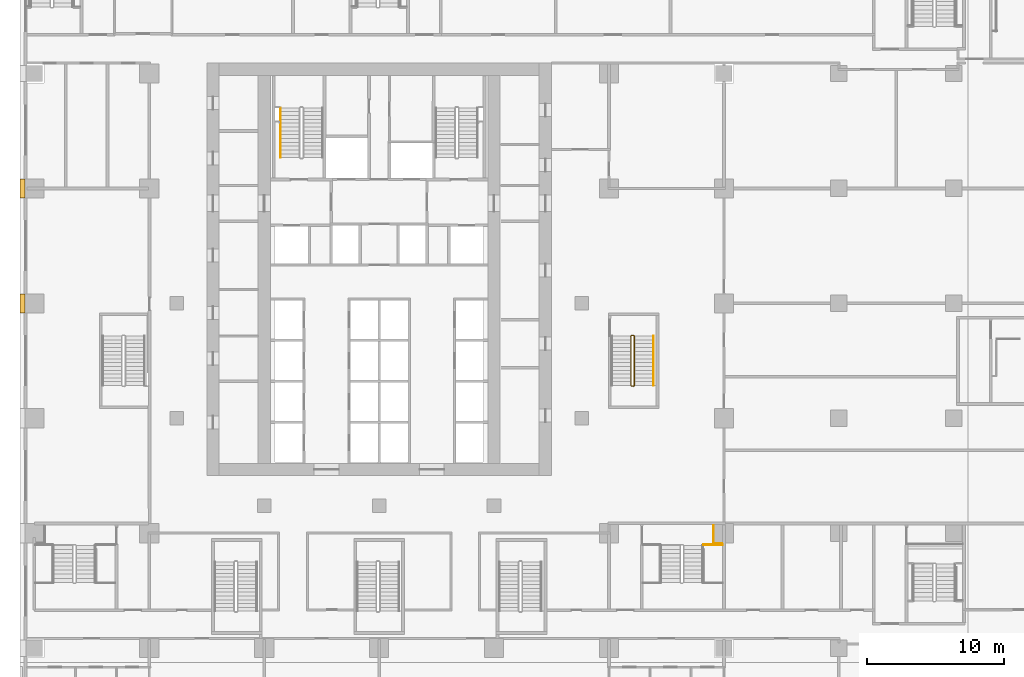
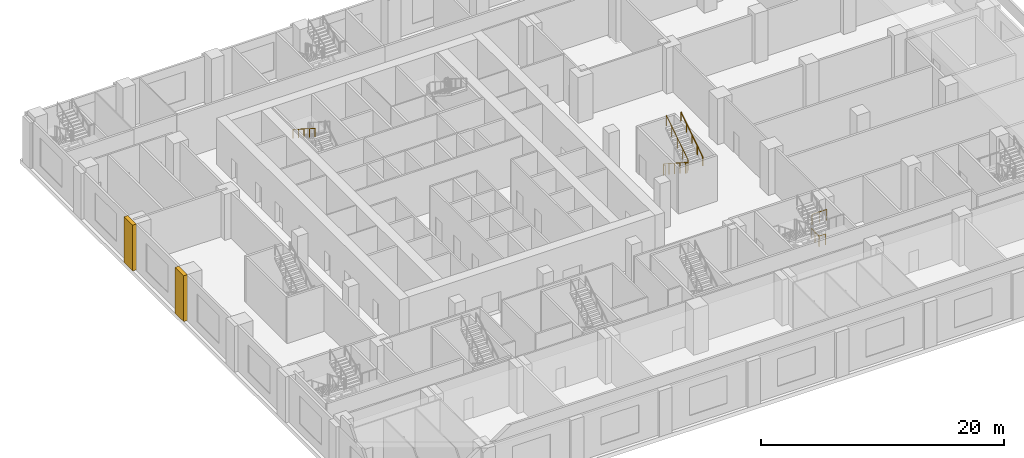
# One storey, part 18 of 23: 5 railings, 2 coverings.
"""IFC4 building model written with IfcOpenShell, lengths in metres."""

from ifc_helpers import new_model, si_unit, direction, frame, origin, origin_2d, place, context, subcontext, project, spatial, polyline, rectangle, outline, extrude, material, type_object, element, save


model = new_model("IFC4")

# Units and contexts
model_context = context("Model", 3, precision=1e-05, world=origin(), true_north=direction((0.0, 1.0)))
body_context = subcontext(model_context, "Body", "Model", "MODEL_VIEW")
ifc_project = project(units=[si_unit("LENGTHUNIT", "METRE"), si_unit("AREAUNIT", "SQUARE_METRE"), si_unit("VOLUMEUNIT", "CUBIC_METRE"), si_unit("PLANEANGLEUNIT", "RADIAN"), si_unit("MASSUNIT", "GRAM", prefix="KILO")], contexts=[model_context])

# Site, building, storey
site_placement = place(None, origin())
site = spatial("IfcSite", under=ifc_project, at=site_placement, CompositionType="ELEMENT")
building_placement = place(site_placement, origin())
building = spatial("IfcBuilding", under=site, at=building_placement, Name="Vermilion Ogive Tower", CompositionType="ELEMENT")
storey_placement = place(building_placement, frame((0.0, 0.0, 20.0)))
storey = spatial("IfcBuildingStorey", under=building, at=storey_placement, Name="L03", CompositionType="ELEMENT", Elevation=20.0)

# Railings
ifc_material_1 = material(Name="Steel S355 painted", Category="steel")
railing_type_1 = type_object("IfcRailingType", Name="Stair guard 1100", PredefinedType="GUARDRAIL", material=ifc_material_1)
railing_1_placement = place(storey_placement, frame((18.60009765625, 1.85009765625, 0.0)))
element("IfcRailing", 1, at=railing_1_placement, inside=storey, type_object=railing_type_1, Name="L03 ST8 stair guard 4", PredefinedType="GUARDRAIL", context=body_context, shape_type="SweptSolid", body=[
    extrude(rectangle(XDim=0.048095703125, YDim=0.048095703125, at=origin_2d()), frame((0.0, 0.0, 1.076171875), z_axis=(-1.0, 0.0, 0.0), x_axis=(0.0, -1.0, 0.0)), (0.0, 0.0, 1.0), 0.150146484375),
    extrude(rectangle(XDim=0.048095703125, YDim=0.048095703125, at=origin_2d()), frame((-0.150146484375, 0.0, 1.076171875), z_axis=(-0.260684529273, -0.260684529273, 0.929562882432), x_axis=(0.707106781187, -0.707106781187, 0.0)), (0.0, 0.0, 1.0), 0.19189453125),
    extrude(rectangle(XDim=0.048095703125, YDim=0.048095703125, at=origin_2d()), frame((-0.2001953125, -0.050048828125, 1.25439453125), z_axis=(0.0, -0.840414717549, 0.541943818607), x_axis=(1.0, 0.0, 0.0)), (0.0, 0.0, 1.0), 4.28369140625),
    extrude(rectangle(XDim=0.048095703125, YDim=0.048095703125, at=origin_2d()), frame((-0.2001953125, -3.650146484375, 3.576171875), z_axis=(0.707106781187, -0.707106781187, 0.0), x_axis=(0.707106781187, 0.707106781187, 0.0)), (0.0, 0.0, 1.0), 0.07080078125),
    extrude(rectangle(XDim=0.048095703125, YDim=0.048095703125, at=origin_2d()), frame((-0.150146484375, -3.7001953125, 3.576171875), z_axis=(1.0, 0.0, 0.0), x_axis=(0.0, 1.0, 0.0)), (0.0, 0.0, 1.0), 0.150146484375),
    extrude(rectangle(XDim=0.048095703125, YDim=0.048095703125, at=origin_2d()), frame((0.0, -3.7001953125, 3.576171875), z_axis=(0.25949872427, 0.26077077684, 0.929870428634), x_axis=(-0.708833529934, 0.705375805398, 0.0)), (0.0, 0.0, 1.0), 0.19189453125),
    extrude(rectangle(XDim=0.048095703125, YDim=0.048095703125, at=origin_2d()), frame((0.0498046875, -3.650146484375, 3.75439453125), z_axis=(0.0, 0.840414717549, 0.541943818607), x_axis=(-1.0, 0.0, 0.0)), (0.0, 0.0, 1.0), 4.28369140625),
    extrude(rectangle(XDim=0.0419921875, YDim=0.0419921875, at=origin_2d()), origin(), (0.0, 0.0, 1.0), 1.052001953125),
    extrude(rectangle(XDim=0.0419921875, YDim=0.0419921875, at=origin_2d()), frame((-0.150146484375, 0.0, 0.0)), (0.0, 0.0, 1.0), 1.052001953125),
    extrude(rectangle(XDim=0.0419921875, YDim=0.0419921875, at=origin_2d()), frame((-0.2001953125, -0.050048828125, 0.178466796875)), (0.0, 0.0, 1.0), 1.052001953125),
    extrude(rectangle(XDim=0.0419921875, YDim=0.0419921875, at=origin_2d()), frame((-0.2001953125, -0.9501953125, 0.7587890625)), (0.0, 0.0, 1.0), 1.052001953125),
    extrude(rectangle(XDim=0.0419921875, YDim=0.0419921875, at=origin_2d()), frame((-0.2001953125, -1.85009765625, 1.33935546875)), (0.0, 0.0, 1.0), 1.052001953125),
    extrude(rectangle(XDim=0.0419921875, YDim=0.0419921875, at=origin_2d()), frame((-0.2001953125, -2.75, 1.919677734375)), (0.0, 0.0, 1.0), 1.052001953125),
    extrude(rectangle(XDim=0.0419921875, YDim=0.0419921875, at=origin_2d()), frame((-0.2001953125, -3.650146484375, 2.5)), (0.0, 0.0, 1.0), 1.052001953125),
    extrude(rectangle(XDim=0.0419921875, YDim=0.0419921875, at=origin_2d()), frame((-0.150146484375, -3.7001953125, 2.5)), (0.0, 0.0, 1.0), 1.052001953125),
    extrude(rectangle(XDim=0.0419921875, YDim=0.0419921875, at=origin_2d()), frame((0.0, -3.7001953125, 2.5)), (0.0, 0.0, 1.0), 1.052001953125),
    extrude(rectangle(XDim=0.0419921875, YDim=0.0419921875, at=origin_2d()), frame((0.0498046875, -3.650146484375, 2.678466796875)), (0.0, 0.0, 1.0), 1.052001953125),
    extrude(rectangle(XDim=0.0419921875, YDim=0.0419921875, at=origin_2d()), frame((0.0498046875, -2.75, 3.2587890625)), (0.0, 0.0, 1.0), 1.052001953125),
    extrude(rectangle(XDim=0.0419921875, YDim=0.0419921875, at=origin_2d()), frame((0.0498046875, -1.85009765625, 3.83935546875)), (0.0, 0.0, 1.0), 1.052001953125),
    extrude(rectangle(XDim=0.0419921875, YDim=0.0419921875, at=origin_2d()), frame((0.0498046875, -0.9501953125, 4.419677734375)), (0.0, 0.0, 1.0), 1.052001953125),
    extrude(rectangle(XDim=0.0419921875, YDim=0.0419921875, at=origin_2d()), frame((0.0498046875, -0.050048828125, 5.0)), (0.0, 0.0, 1.0), 1.052001953125),
])
railing_2_placement = place(storey_placement, frame((23.699951171875, -13.449951171875, 2.5)))
element("IfcRailing", 2, at=railing_2_placement, inside=storey, type_object=railing_type_1, Name="L03 landing guard", PredefinedType="GUARDRAIL", context=body_context, shape_type="SweptSolid", body=[
    extrude(rectangle(XDim=0.048095703125, YDim=0.048095703125, at=origin_2d()), frame((0.0, 0.0, 1.076171875), z_axis=(1.0, 0.0, 0.0), x_axis=(0.0, 1.0, 0.0)), (0.0, 0.0, 1.0), 1.39990234375),
    extrude(rectangle(XDim=0.0419921875, YDim=0.0419921875, at=origin_2d()), origin(), (0.0, 0.0, 1.0), 1.052001953125),
    extrude(rectangle(XDim=0.0419921875, YDim=0.0419921875, at=origin_2d()), frame((0.699951171875, 0.0, 0.0)), (0.0, 0.0, 1.0), 1.052001953125),
    extrude(rectangle(XDim=0.0419921875, YDim=0.0419921875, at=origin_2d()), frame((1.39990234375, 0.0, 0.0)), (0.0, 0.0, 1.0), 1.052001953125),
])
railing_3_placement = place(storey_placement, frame((24.43994140625, -12.034912109375, 0.0)))
element("IfcRailing", 3, at=railing_3_placement, inside=storey, type_object=railing_type_1, Name="L03 stair opening guard", PredefinedType="GUARDRAIL", context=body_context, shape_type="SweptSolid", body=[
    extrude(rectangle(XDim=0.048095703125, YDim=0.048095703125, at=origin_2d()), frame((0.0, 0.0, 1.076171875), z_axis=(0.0, -1.0, 0.0), x_axis=(1.0, 0.0, 0.0)), (0.0, 0.0, 1.0), 1.26513671875),
    extrude(rectangle(XDim=0.048095703125, YDim=0.048095703125, at=origin_2d()), frame((0.0, -1.26513671875, 1.076171875), z_axis=(0.707106781187, -0.707106781187, 0.0), x_axis=(0.707106781187, 0.707106781187, 0.0)), (0.0, 0.0, 1.0), 0.0849609375),
    extrude(rectangle(XDim=0.048095703125, YDim=0.048095703125, at=origin_2d()), frame((0.06005859375, -1.3251953125, 1.076171875), z_axis=(1.0, 0.0, 0.0), x_axis=(0.0, 1.0, 0.0)), (0.0, 0.0, 1.0), 0.5400390625),
    extrude(rectangle(XDim=0.0419921875, YDim=0.0419921875, at=origin_2d()), origin(), (0.0, 0.0, 1.0), 1.052001953125),
    extrude(rectangle(XDim=0.0419921875, YDim=0.0419921875, at=origin_2d()), frame((0.0, -0.632568359375, 0.0)), (0.0, 0.0, 1.0), 1.052001953125),
    extrude(rectangle(XDim=0.0419921875, YDim=0.0419921875, at=origin_2d()), frame((0.0, -1.26513671875, 0.0)), (0.0, 0.0, 1.0), 1.052001953125),
    extrude(rectangle(XDim=0.0419921875, YDim=0.0419921875, at=origin_2d()), frame((0.06005859375, -1.3251953125, 0.0)), (0.0, 0.0, 1.0), 1.052001953125),
    extrude(rectangle(XDim=0.0419921875, YDim=0.0419921875, at=origin_2d()), frame((0.60009765625, -1.3251953125, 0.0)), (0.0, 0.0, 1.0), 1.052001953125),
])
ifc_material_2 = material(Name="Stainless steel", Category="steel")
railing_type_2 = type_object("IfcRailingType", Name="Stair handrail 900", PredefinedType="HANDRAIL", material=ifc_material_2)
railing_4_placement = place(storey_placement, frame((-7.199951171875, 18.489990234375, 2.678466796875)))
element("IfcRailing", 4, at=railing_4_placement, inside=storey, type_object=railing_type_2, Name="L03 ST1 stair handrail 2", PredefinedType="HANDRAIL", context=body_context, shape_type="SweptSolid", body=[
    extrude(rectangle(XDim=0.048095703125, YDim=0.048095703125, at=origin_2d()), frame((0.0, 0.0, 0.8759765625), z_axis=(0.0, -0.843111507901, 0.53773877045), x_axis=(1.0, 0.0, 0.0)), (0.0, 0.0, 1.0), 4.317138671875),
    extrude(rectangle(XDim=0.0419921875, YDim=0.0419921875, at=origin_2d()), origin(), (0.0, 0.0, 1.0), 0.851806640625),
    extrude(rectangle(XDim=0.0419921875, YDim=0.0419921875, at=origin_2d()), frame((0.0, -0.909912109375, 0.580322265625)), (0.0, 0.0, 1.0), 0.851806640625),
    extrude(rectangle(XDim=0.0419921875, YDim=0.0419921875, at=origin_2d()), frame((0.0, -1.81982421875, 1.16064453125)), (0.0, 0.0, 1.0), 0.851806640625),
    extrude(rectangle(XDim=0.0419921875, YDim=0.0419921875, at=origin_2d()), frame((0.0, -2.72998046875, 1.7412109375)), (0.0, 0.0, 1.0), 0.851806640625),
    extrude(rectangle(XDim=0.0419921875, YDim=0.0419921875, at=origin_2d()), frame((0.0, -3.639892578125, 2.321533203125)), (0.0, 0.0, 1.0), 0.851806640625),
])
railing_5_placement = place(storey_placement, frame((20.050048828125, -1.800048828125, 2.678466796875)))
element("IfcRailing", 5, at=railing_5_placement, inside=storey, type_object=railing_type_2, Name="L03 ST8 stair handrail 2", PredefinedType="HANDRAIL", context=body_context, shape_type="SweptSolid", body=[
    extrude(rectangle(XDim=0.048095703125, YDim=0.048095703125, at=origin_2d()), frame((0.0, 0.0, 0.8759765625), z_axis=(0.0, 0.840414717549, 0.541943818607), x_axis=(-1.0, 0.0, 0.0)), (0.0, 0.0, 1.0), 4.28369140625),
    extrude(rectangle(XDim=0.0419921875, YDim=0.0419921875, at=origin_2d()), origin(), (0.0, 0.0, 1.0), 0.851806640625),
    extrude(rectangle(XDim=0.0419921875, YDim=0.0419921875, at=origin_2d()), frame((0.0, 0.89990234375, 0.580322265625)), (0.0, 0.0, 1.0), 0.851806640625),
    extrude(rectangle(XDim=0.0419921875, YDim=0.0419921875, at=origin_2d()), frame((0.0, 1.800048828125, 1.16064453125)), (0.0, 0.0, 1.0), 0.851806640625),
    extrude(rectangle(XDim=0.0419921875, YDim=0.0419921875, at=origin_2d()), frame((0.0, 2.7001953125, 1.7412109375)), (0.0, 0.0, 1.0), 0.851806640625),
    extrude(rectangle(XDim=0.0419921875, YDim=0.0419921875, at=origin_2d()), frame((0.0, 3.60009765625, 2.321533203125)), (0.0, 0.0, 1.0), 0.851806640625),
])

# Coverings
ifc_material_3 = material(Name="Stone cladding", Category="masonry")
covering_type = type_object("IfcCoveringType", Name="Stone pier", PredefinedType="CLADDING", material=ifc_material_3)
covering_1_placement = place(storey_placement, origin())
element("IfcCovering", 6, at=covering_1_placement, inside=storey, type_object=covering_type, Name="Stone pier P-252+042", PredefinedType="CLADDING", context=body_context, shape_type="SweptSolid", body=[
    extrude(outline(polyline([(-26.25, 3.5), (-26.25, 4.89990234375), (-25.89990234375, 4.89990234375), (-25.89990234375, 3.5), (-26.25, 3.5)])), origin(), (0.0, 0.0, 1.0), 4.60009765625),
])
covering_2_placement = place(storey_placement, origin())
element("IfcCovering", 7, at=covering_2_placement, inside=storey, type_object=covering_type, Name="Stone pier P-252+126", PredefinedType="CLADDING", context=body_context, shape_type="SweptSolid", body=[
    extrude(outline(polyline([(-25.89990234375, 11.89990234375), (-26.25, 11.89990234375), (-26.25, 13.300048828125), (-25.89990234375, 13.300048828125), (-25.89990234375, 13.300048828125), (-25.89990234375, 11.89990234375)])), origin(), (0.0, 0.0, 1.0), 4.60009765625),
])

save(model, "model.ifc")
